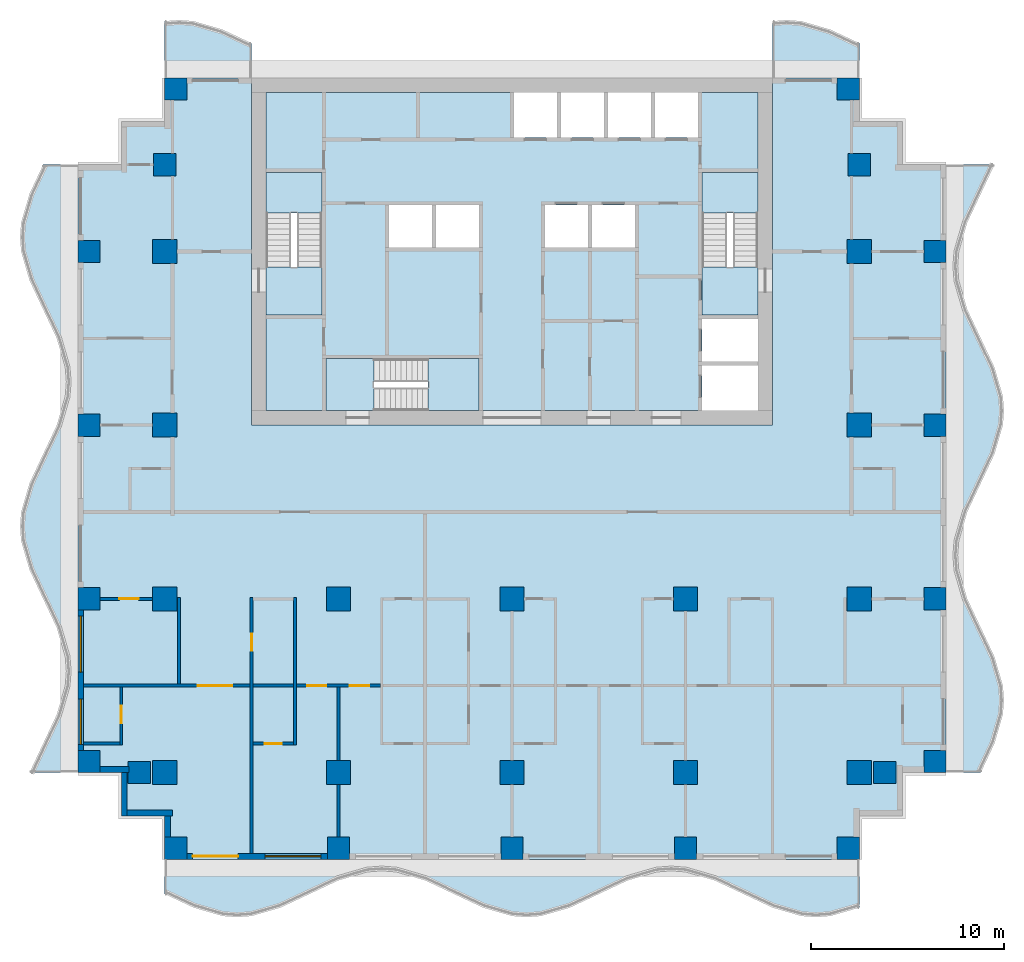
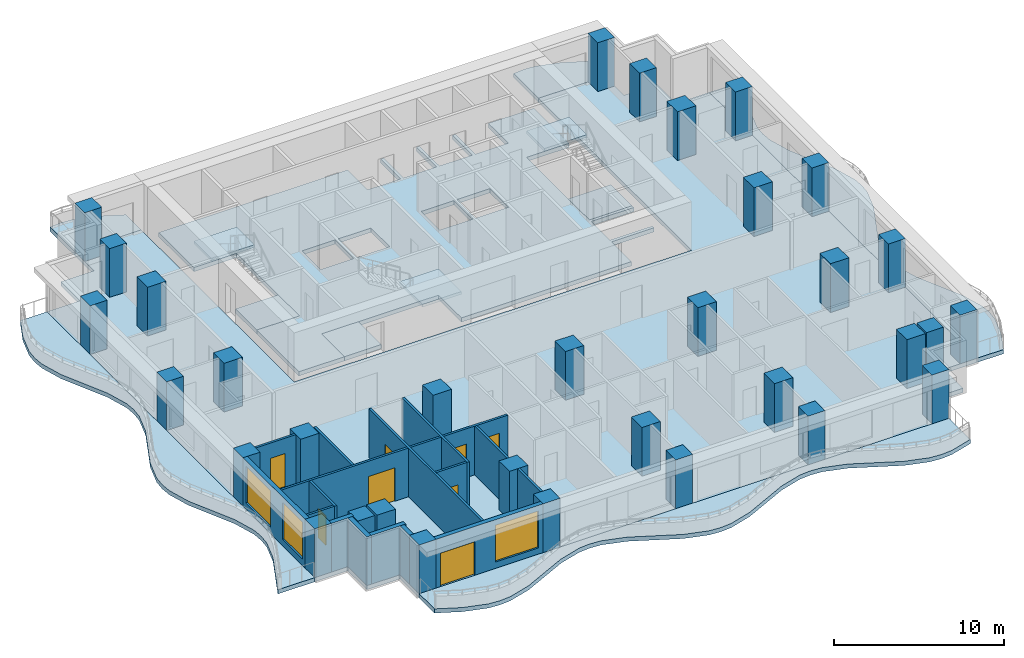
# One storey, part 1 of 10: 33 columns, 18 walls, 13 slabs, 8 doors, 3 windows, 11 openings, 3 elements without a shape of their own.
"""IFC4 building model written with IfcOpenShell, lengths in metres."""

from ifc_helpers import new_model, si_unit, direction, frame, frame_2d, origin, origin_2d, place, context, subcontext, project, spatial, polyline, rectangle, outline, extrude, material, layer, layer_set, material_profile, profile_set, type_object, element, fill, aggregate, save


model = new_model("IFC4")

# Units and contexts
model_context = context("Model", 3, precision=1e-05, world=origin(), true_north=direction((0.0, 1.0)))
body_context = subcontext(model_context, "Body", "Model", "MODEL_VIEW")
ifc_project = project(units=[si_unit("LENGTHUNIT", "METRE"), si_unit("AREAUNIT", "SQUARE_METRE"), si_unit("VOLUMEUNIT", "CUBIC_METRE"), si_unit("PLANEANGLEUNIT", "RADIAN"), si_unit("MASSUNIT", "GRAM", prefix="KILO")], contexts=[model_context])

# Site, building, storey
site_placement = place(None, origin())
site = spatial("IfcSite", under=ifc_project, at=site_placement, CompositionType="ELEMENT")
building_placement = place(site_placement, origin())
building = spatial("IfcBuilding", under=site, at=building_placement, Name="Orbiselva Terraces", CompositionType="ELEMENT")
storey_placement = place(building_placement, frame((0.0, 0.0, 144.0)))
storey = spatial("IfcBuildingStorey", under=building, at=storey_placement, Name="L36", CompositionType="ELEMENT", Elevation=144.0)

# Columns
ifc_material_1 = material(Name="Concrete C60/75", Category="concrete")
ifc_material_profile_1 = material_profile(ifc_material_1, rectangle(XDim=1.25, YDim=1.25, at=origin_2d()), Name="RC 1250x1250")
ifc_profile_set_1 = profile_set([ifc_material_profile_1], Name="Concrete C60/75")
column_type_1 = type_object("IfcColumnType", Name="COLUMN RC 1250x1250", PredefinedType="COLUMN", material=ifc_profile_set_1)
for number, where, z_axis, x_axis, name in (
    (1, (-18.0, -13.5, 0.0), (0.0, 0.0, 1.0), (1.0, 0.0, 0.0), "Column L36-01"),
    (2, (-18.0, -4.5, 0.0), (0.0, 0.0, 1.0), (1.0, 0.0, 0.0), "Column L36-03"),
    (3, (-18.0, 13.5, 0.0), (0.0, 0.0, 1.0), (1.0, 0.0, 0.0), "Column L36-04"),
    (4, (-18.0, 4.5, 0.0), (0.0, 0.0, 1.0), (1.0, 0.0, 0.0), "Column L36-06"),
    (5, (-9.0, -13.5, 0.0), (0.0, 0.0, 1.0), (1.0, 0.0, 0.0), "Column L36-13"),
    (6, (-9.0, -4.5, 0.0), (0.0, 0.0, 1.0), (1.0, 0.0, 0.0), "Column L36-15"),
    (7, (0.0, -13.5, 0.0), (0.0, 0.0, 1.0), (1.0, 0.0, 0.0), "Column L36-16"),
    (8, (0.0, -4.5, 0.0), (0.0, 0.0, 1.0), (1.0, 0.0, 0.0), "Column L36-18"),
    (9, (18.0, -13.5, 0.0), (0.0, 0.0, 1.0), (1.0, 0.0, 0.0), "Column L36-19"),
    (10, (18.0, -4.5, 0.0), (0.0, 0.0, 1.0), (1.0, 0.0, 0.0), "Column L36-21"),
    (11, (18.0, 13.5, 0.0), (0.0, 0.0, 1.0), (1.0, 0.0, 0.0), "Column L36-22"),
    (12, (18.0, 4.5, 0.0), (0.0, 0.0, 1.0), (1.0, 0.0, 0.0), "Column L36-24"),
    (13, (9.0, -13.5, 0.0), (0.0, 0.0, 1.0), (1.0, 0.0, 0.0), "Column L36-31"),
    (14, (9.0, -4.5, 0.0), (0.0, 0.0, 1.0), (1.0, 0.0, 0.0), "Column L36-33"),
):
    element("IfcColumn", number, at=place(storey_placement, frame(where, z_axis=z_axis, x_axis=x_axis)), inside=storey, type_object=column_type_1, Name=name, PredefinedType="COLUMN", context=body_context, shape_type="SweptSolid", body=[
        extrude(rectangle(XDim=1.25, YDim=1.25, at=origin_2d()), origin(), (0.0, 0.0, 1.0), 3.5),
    ])
ifc_material_profile_2 = material_profile(ifc_material_1, rectangle(XDim=1.15, YDim=1.15, at=origin_2d()), Name="RC 1150x1150")
ifc_profile_set_2 = profile_set([ifc_material_profile_2], Name="Concrete C60/75")
column_type_2 = type_object("IfcColumnType", Name="PERIMETER COLUMN RC 1150x1150", PredefinedType="COLUMN", material=ifc_profile_set_2)
for number, where, z_axis, x_axis, name in (
    (15, (-17.425, -17.425, 0.0), (0.0, 0.0, 1.0), (1.0, 0.0, 0.0), "Column L36-02"),
    (16, (-17.425, 21.925, 0.0), (0.0, 0.0, 1.0), (1.0, 0.0, 0.0), "Column L36-05"),
    (17, (-21.925, -12.925, 0.0), (0.0, 0.0, 1.0), (1.0, 0.0, 0.0), "Column L36-07"),
    (18, (-19.32, -13.5, 0.0), (0.0, 0.0, 1.0), (1.0, 0.0, 0.0), "Column L36-08"),
    (19, (-21.925, -4.5, 0.0), (0.0, 0.0, 1.0), (1.0, 0.0, 0.0), "Column L36-09"),
    (20, (-21.925, 13.5, 0.0), (0.0, 0.0, 1.0), (1.0, 0.0, 0.0), "Column L36-10"),
    (21, (-18.0, 18.0, 0.0), (0.0, 0.0, 1.0), (1.0, 0.0, 0.0), "Column L36-11"),
    (22, (-21.925, 4.5, 0.0), (0.0, 0.0, 1.0), (1.0, 0.0, 0.0), "Column L36-12"),
    (23, (-9.0, -17.425, 0.0), (0.0, 0.0, 1.0), (1.0, 0.0, 0.0), "Column L36-14"),
    (24, (0.0, -17.425, 0.0), (0.0, 0.0, 1.0), (1.0, 0.0, 0.0), "Column L36-17"),
    (25, (17.425, -17.425, 0.0), (0.0, 0.0, 1.0), (1.0, 0.0, 0.0), "Column L36-20"),
    (26, (17.425, 21.925, 0.0), (0.0, 0.0, 1.0), (1.0, 0.0, 0.0), "Column L36-23"),
    (27, (21.925, -12.925, 0.0), (0.0, 0.0, 1.0), (1.0, 0.0, 0.0), "Column L36-25"),
    (28, (19.32, -13.5, 0.0), (0.0, 0.0, 1.0), (1.0, 0.0, 0.0), "Column L36-26"),
    (29, (21.925, -4.5, 0.0), (0.0, 0.0, 1.0), (1.0, 0.0, 0.0), "Column L36-27"),
    (30, (21.925, 13.5, 0.0), (0.0, 0.0, 1.0), (1.0, 0.0, 0.0), "Column L36-28"),
    (31, (18.0, 18.0, 0.0), (0.0, 0.0, 1.0), (1.0, 0.0, 0.0), "Column L36-29"),
    (32, (21.925, 4.5, 0.0), (0.0, 0.0, 1.0), (1.0, 0.0, 0.0), "Column L36-30"),
    (33, (9.0, -17.425, 0.0), (0.0, 0.0, 1.0), (1.0, 0.0, 0.0), "Column L36-32"),
):
    element("IfcColumn", number, at=place(storey_placement, frame(where, z_axis=z_axis, x_axis=x_axis)), inside=storey, type_object=column_type_2, Name=name, PredefinedType="COLUMN", context=body_context, shape_type="SweptSolid", body=[
        extrude(rectangle(XDim=1.15, YDim=1.15, at=origin_2d()), origin(), (0.0, 0.0, 1.0), 3.5),
    ])

# Slabs
ifc_material_2 = material(Name="Concrete C40/50", Category="concrete")
ifc_layer_1 = layer(ifc_material_2, 0.3)
ifc_layer_set_1 = layer_set([ifc_layer_1], Name="Concrete C40/50")
slab_type_1 = type_object("IfcSlabType", Name="CORE-SLAB-FLOOR-300", PredefinedType="FLOOR", material=ifc_layer_set_1)
slab_1_placement = place(storey_placement, frame((0.0, 0.0, -0.3)))
element("IfcSlab", 34, at=slab_1_placement, inside=storey, type_object=slab_type_1, Name="L36 S1 floor landing", PredefinedType="FLOOR", context=body_context, shape_type="SweptSolid", body=[
    extrude(outline(polyline([(-12.75, 12.7), (-9.85, 12.7), (-9.85, 10.2), (-12.75, 10.2), (-12.75, 12.7)])), origin(), (0.0, 0.0, 1.0), 0.3),
])
slab_2_placement = place(storey_placement, frame((0.0, 0.0, -0.3)))
element("IfcSlab", 35, at=slab_2_placement, inside=storey, type_object=slab_type_1, Name="L36 S2 floor landing", PredefinedType="FLOOR", context=body_context, shape_type="SweptSolid", body=[
    extrude(outline(polyline([(12.75, 12.7), (12.75, 10.2), (9.85, 10.2), (9.85, 12.7), (12.75, 12.7)])), origin(), (0.0, 0.0, 1.0), 0.3),
])
slab_3_placement = place(storey_placement, frame((0.0, 0.0, -0.3)))
element("IfcSlab", 36, at=slab_3_placement, inside=storey, type_object=slab_type_1, Name="L36 S3 floor landing", PredefinedType="FLOOR", context=body_context, shape_type="SweptSolid", body=[
    extrude(outline(polyline([(-7.15, 5.25), (-9.65, 5.25), (-9.65, 7.95), (-7.15, 7.95), (-7.15, 5.25)])), origin(), (0.0, 0.0, 1.0), 0.3),
])
slab_4_placement = place(storey_placement, frame((0.0, 0.0, -0.3)))
element("IfcSlab", 37, at=slab_4_placement, inside=storey, type_object=slab_type_1, Name="L36 core floor slab 1", PredefinedType="FLOOR", context=body_context, shape_type="SweptSolid", body=[
    extrude(outline(polyline([(-1.7, 5.25), (-1.7, 7.95), (-9.65, 7.95), (-9.65, 5.25), (-12.75, 5.25), (-12.75, 10.2), (-9.85, 10.2), (-9.85, 17.6), (-12.75, 17.6), (-12.75, 21.75), (0.1, 21.75), (0.1, 19.4), (2.3375, 19.4), (2.3375, 21.75), (2.5375, 21.75), (2.5375, 19.4), (4.775, 19.4), (4.775, 21.75), (4.975, 21.75), (4.975, 19.4), (7.2125, 19.4), (7.2125, 21.75), (7.4125, 21.75), (7.4125, 19.4), (9.65, 19.4), (9.65, 21.75), (12.75, 21.75), (12.75, 17.6), (9.85, 17.6), (9.85, 10.2), (12.75, 10.2), (12.75, 10.0), (9.85, 10.0), (9.85, 7.8), (12.75, 7.8), (12.75, 7.6), (9.85, 7.6), (9.85, 5.25), (-1.7, 5.25)]), holes=[polyline([(-4.1375, 13.7), (-4.1375, 15.9), (-6.375, 15.9), (-6.375, 13.7), (-4.1375, 13.7)]), polyline([(-1.7, 13.7), (-1.7, 15.9), (-3.9375, 15.9), (-3.9375, 13.7), (-1.7, 13.7)]), polyline([(3.9375, 15.9), (1.7, 15.9), (1.7, 13.7), (3.9375, 13.7), (3.9375, 15.9)]), polyline([(6.375, 13.7), (6.375, 15.9), (4.1375, 15.9), (4.1375, 13.7), (6.375, 13.7)])]), origin(), (0.0, 0.0, 1.0), 0.3),
])

# Stair, slab
stair_type_1 = type_object("IfcStairType", Name="CORE-STAIR-1300", PredefinedType="HALF_TURN_STAIR", material=ifc_material_2)
stair_1_placement = place(storey_placement, origin())
stair_1 = element("IfcStair", 38, at=stair_1_placement, inside=storey, type_object=stair_type_1, Name="L36 Exit Stair S1", PredefinedType="HALF_TURN_STAIR")
ifc_layer_2 = layer(ifc_material_2, 0.2)
ifc_layer_set_2 = layer_set([ifc_layer_2], Name="Concrete C40/50")
slab_type_2 = type_object("IfcSlabType", Name="CORE-STAIR-LANDING-200", PredefinedType="LANDING", material=ifc_layer_set_2)
slab_5_placement = place(storey_placement, frame((0.0, 0.0, 1.7)))
slab_5 = element("IfcSlab", 39, at=slab_5_placement, type_object=slab_type_2, Name="S1 landing 1", PredefinedType="LANDING", context=body_context, shape_type="SweptSolid", body=[
    extrude(outline(polyline([(-9.85, 15.5), (-9.85, 17.6), (-12.75, 17.6), (-12.75, 15.5), (-9.85, 15.5)])), origin(), (0.0, 0.0, 1.0), 0.2),
])
aggregate(stair_1, [slab_5])

stair_2_placement = place(storey_placement, origin())
stair_2 = element("IfcStair", 40, at=stair_2_placement, inside=storey, type_object=stair_type_1, Name="L36 Exit Stair S2", PredefinedType="HALF_TURN_STAIR")
slab_6_placement = place(storey_placement, frame((0.0, 0.0, 1.7)))
slab_6 = element("IfcSlab", 41, at=slab_6_placement, type_object=slab_type_2, Name="S2 landing 1", PredefinedType="LANDING", context=body_context, shape_type="SweptSolid", body=[
    extrude(outline(polyline([(12.75, 15.5), (12.75, 17.6), (9.85, 17.6), (9.85, 15.5), (12.75, 15.5)])), origin(), (0.0, 0.0, 1.0), 0.2),
])
aggregate(stair_2, [slab_6])

stair_type_2 = type_object("IfcStairType", Name="CORE-STAIR-1200", PredefinedType="HALF_TURN_STAIR", material=ifc_material_2)
stair_3_placement = place(storey_placement, origin())
stair_3 = element("IfcStair", 42, at=stair_3_placement, inside=storey, type_object=stair_type_2, Name="L36 Exit Stair S3", PredefinedType="HALF_TURN_STAIR")
slab_7_placement = place(storey_placement, frame((0.0, 0.0, 1.7)))
slab_7 = element("IfcSlab", 43, at=slab_7_placement, type_object=slab_type_2, Name="S3 landing 1", PredefinedType="LANDING", context=body_context, shape_type="SweptSolid", body=[
    extrude(outline(polyline([(-4.35, 5.25), (-1.7, 5.25), (-1.7, 7.95), (-4.35, 7.95), (-4.35, 5.25)])), origin(), (0.0, 0.0, 1.0), 0.2),
])
aggregate(stair_3, [slab_7])

# Slabs
ifc_material_3 = material(Name="Concrete C50/60", Category="concrete")
ifc_layer_3 = layer(ifc_material_3, 0.3)
ifc_layer_set_3 = layer_set([ifc_layer_3], Name="Concrete C50/60")
slab_type_3 = type_object("IfcSlabType", Name="ENV-BALCONY-SLAB-300", PredefinedType="FLOOR", material=ifc_layer_set_3)
slab_8_placement = place(storey_placement, frame((0.0, 0.0, -0.3)))
element("IfcSlab", 44, at=slab_8_placement, inside=storey, type_object=slab_type_3, Name="Balcony slab L36 S", PredefinedType="FLOOR", context=body_context, shape_type="SweptSolid", body=[
    extrude(outline(polyline([(-18.0, -19.8), (-16.5, -20.505342), (-15.0, -20.941268), (-14.25, -21.0), (-13.5, -20.941268), (-12.0, -20.505342), (-9.0, -19.094658), (-7.5, -18.658732), (-6.75, -18.6), (-6.0, -18.658732), (-4.5, -19.094658), (-1.5, -20.505342), (0.0, -20.941268), (0.75, -21.0), (1.5, -20.941268), (3.0, -20.505342), (6.0, -19.094658), (7.5, -18.658732), (8.25, -18.6), (9.0, -18.658732), (10.5, -19.094658), (13.5, -20.505342), (15.0, -20.941268), (15.75, -21.0), (16.5, -20.941268), (18.0, -20.505342), (18.0, -18.0), (-18.0, -18.0), (-18.0, -19.8)])), origin(), (0.0, 0.0, 1.0), 0.3),
])
slab_9_placement = place(storey_placement, frame((0.0, 0.0, -0.3)))
element("IfcSlab", 45, at=slab_9_placement, inside=storey, type_object=slab_type_3, Name="Balcony slab L36 E", PredefinedType="FLOOR", context=body_context, shape_type="SweptSolid", body=[
    extrude(outline(polyline([(24.3, -13.5), (25.005342, -12.0), (25.441268, -10.5), (25.5, -9.75), (25.441268, -9.0), (25.005342, -7.5), (23.594658, -4.5), (23.158732, -3.0), (23.1, -2.25), (23.158732, -1.5), (23.594658, 0.0), (25.005342, 3.0), (25.441268, 4.5), (25.5, 5.25), (25.441268, 6.0), (25.005342, 7.5), (23.594658, 10.5), (23.158732, 12.0), (23.1, 12.75), (23.158732, 13.5), (23.594658, 15.0), (25.005342, 18.0), (22.5, 18.0), (22.5, -13.5), (24.3, -13.5)])), origin(), (0.0, 0.0, 1.0), 0.3),
])
slab_10_placement = place(storey_placement, frame((0.0, 0.0, -0.3)))
element("IfcSlab", 46, at=slab_10_placement, inside=storey, type_object=slab_type_3, Name="Balcony slab L36 NE", PredefinedType="FLOOR", context=body_context, shape_type="SweptSolid", body=[
    extrude(outline(polyline([(18.0, 24.3), (16.5, 25.005342), (15.0, 25.441268), (14.25, 25.5), (13.5, 25.441268), (13.5, 22.5), (18.0, 22.5), (18.0, 24.3)])), origin(), (0.0, 0.0, 1.0), 0.3),
])
slab_11_placement = place(storey_placement, frame((0.0, 0.0, -0.3)))
element("IfcSlab", 47, at=slab_11_placement, inside=storey, type_object=slab_type_3, Name="Balcony slab L36 NW", PredefinedType="FLOOR", context=body_context, shape_type="SweptSolid", body=[
    extrude(outline(polyline([(-13.5, 24.3), (-15.0, 25.005342), (-16.5, 25.441268), (-17.25, 25.5), (-18.0, 25.441268), (-18.0, 22.5), (-13.5, 22.5), (-13.5, 24.3)])), origin(), (0.0, 0.0, 1.0), 0.3),
])
slab_12_placement = place(storey_placement, frame((0.0, 0.0, -0.3)))
element("IfcSlab", 48, at=slab_12_placement, inside=storey, type_object=slab_type_3, Name="Balcony slab L36 W", PredefinedType="FLOOR", context=body_context, shape_type="SweptSolid", body=[
    extrude(outline(polyline([(-24.3, 18.0), (-25.005342, 16.5), (-25.441268, 15.0), (-25.5, 14.25), (-25.441268, 13.5), (-25.005342, 12.0), (-23.594658, 9.0), (-23.158732, 7.5), (-23.1, 6.75), (-23.158732, 6.0), (-23.594658, 4.5), (-25.005342, 1.5), (-25.441268, 0.0), (-25.5, -0.75), (-25.441268, -1.5), (-25.005342, -3.0), (-23.594658, -6.0), (-23.158732, -7.5), (-23.1, -8.25), (-23.158732, -9.0), (-23.594658, -10.5), (-25.005342, -13.5), (-22.5, -13.5), (-22.5, 18.0), (-24.3, 18.0)])), origin(), (0.0, 0.0, 1.0), 0.3),
])
ifc_layer_4 = layer(ifc_material_3, 0.3)
ifc_layer_set_4 = layer_set([ifc_layer_4], Name="Concrete C50/60")
slab_type_4 = type_object("IfcSlabType", Name="FLOOR SLAB 300", PredefinedType="FLOOR", material=ifc_layer_set_4)
slab_13_placement = place(storey_placement, frame((0.0, 0.0, -0.3)))
element("IfcSlab", 49, at=slab_13_placement, inside=storey, type_object=slab_type_4, Name="Floor slab L36", PredefinedType="FLOOR", context=body_context, shape_type="SweptSolid", body=[
    extrude(outline(polyline([(18.0, 22.5), (18.0, 20.25), (20.25, 20.25), (20.25, 18.0), (22.5, 18.0), (22.5, -13.5), (20.25, -13.5), (20.25, -15.75), (18.0, -15.75), (18.0, -18.0), (-18.0, -18.0), (-18.0, -15.75), (-20.25, -15.75), (-20.25, -13.5), (-22.5, -13.5), (-22.5, 18.0), (-20.25, 18.0), (-20.25, 20.25), (-18.0, 20.25), (-18.0, 22.5), (-13.5, 22.5), (-13.5, 4.5), (13.5, 4.5), (13.5, 22.5), (18.0, 22.5)])), origin(), (0.0, 0.0, 1.0), 0.3),
])

# Wall, openings, door, window
ifc_material_4 = material(Name="Terracotta cladding on masonry backing", Category="masonry")
ifc_layer_5 = layer(ifc_material_4, 0.3)
ifc_layer_set_5 = layer_set([ifc_layer_5], Name="Terracotta cladding on masonry backing")
wall_type_1 = type_object("IfcWallType", Name="ENV-WALL-TERRACOTTA-300", PredefinedType="SOLIDWALL", material=ifc_layer_set_5)
wall_1_placement = place(storey_placement, frame((-9.575, -17.85, 0.0), z_axis=(0.0, 0.0, 1.0), x_axis=(-1.0, 0.0, 0.0)))
wall_1 = element("IfcWall", 50, at=wall_1_placement, inside=storey, type_object=wall_type_1, Name="Facade wall L36 S", PredefinedType="SOLIDWALL", context=body_context, shape_type="SweptSolid", body=[
    extrude(rectangle(XDim=7.275, YDim=0.3, at=frame_2d((3.6375, 0.0))), origin(), (0.0, 0.0, 1.0), 3.5),
])
opening_1_placement = place(wall_1_placement, frame((4.625, 0.0, 0.0)))
opening_1 = element("IfcOpeningElement", 51, at=opening_1_placement, cuts=wall_1, Name="Opening Z3-B-E15", PredefinedType="OPENING", context=body_context, shape_type="SweptSolid", body=[
    extrude(rectangle(XDim=2.35, YDim=2.4, at=frame_2d((1.175, 1.2))), frame((0.0, 0.16, 0.0), z_axis=(0.0, -1.0, 0.0), x_axis=(1.0, 0.0, 0.0)), (0.0, 0.0, 1.0), 0.32),
])
opening_2_placement = place(wall_1_placement, frame((0.325, 0.0, 0.45)))
opening_2 = element("IfcOpeningElement", 52, at=opening_2_placement, cuts=wall_1, Name="Opening WN8", PredefinedType="OPENING", context=body_context, shape_type="SweptSolid", body=[
    extrude(rectangle(XDim=2.9, YDim=2.65, at=frame_2d((1.45, 1.325))), frame((0.0, 0.16, 0.0), z_axis=(0.0, -1.0, 0.0), x_axis=(1.0, 0.0, 0.0)), (0.0, 0.0, 1.0), 0.32),
])
ifc_material_5 = material(Name="Clear low-e glazing in aluminium frame", Category="aluminium")
door_type_1 = type_object("IfcDoorType", Name="BALCONY DOOR 2350 X 2400", OperationType="DOUBLE_DOOR_SLIDING", PredefinedType="DOOR", material=ifc_material_5)
door_1_placement = place(opening_1_placement, origin())
door_1 = element("IfcDoor", 53, at=door_1_placement, inside=storey, type_object=door_type_1, Name="Z3-B-E15", OperationType="SINGLE_SWING_LEFT", OverallHeight=2.4, OverallWidth=2.35, PredefinedType="DOOR", context=body_context, shape_type="SweptSolid", body=[
    extrude(rectangle(XDim=2.35, YDim=2.4, at=frame_2d((1.175, 1.2))), frame((0.0, 0.025, 0.0), z_axis=(0.0, -1.0, 0.0), x_axis=(1.0, 0.0, 0.0)), (0.0, 0.0, 1.0), 0.05),
])
fill(opening_1, door_1)
window_type_1 = type_object("IfcWindowType", Name="WINDOW 2900 X 2650 S450", PartitioningType="TRIPLE_PANEL_VERTICAL", PredefinedType="WINDOW", material=ifc_material_5)
window_1_placement = place(opening_2_placement, origin())
window_1 = element("IfcWindow", 54, at=window_1_placement, inside=storey, type_object=window_type_1, Name="Window L36 S", OverallHeight=2.65, OverallWidth=2.9, PartitioningType="SINGLE_PANEL", PredefinedType="WINDOW", context=body_context, shape_type="SweptSolid", body=[
    extrude(rectangle(XDim=2.9, YDim=2.65, at=frame_2d((1.45, 1.325))), frame((0.0, 0.03, 0.0), z_axis=(0.0, -1.0, 0.0), x_axis=(1.0, 0.0, 0.0)), (0.0, 0.0, 1.0), 0.06),
])
fill(opening_2, window_1)

# Wall, openings, windows
wall_2_placement = place(storey_placement, frame((-22.35, -12.35, 0.0), z_axis=(0.0, 0.0, 1.0), x_axis=(0.0, 1.0, 0.0)))
wall_2 = element("IfcWall", 55, at=wall_2_placement, inside=storey, type_object=wall_type_1, Name="Facade wall L36 W", PredefinedType="SOLIDWALL", context=body_context, shape_type="SweptSolid", body=[
    extrude(rectangle(XDim=7.275, YDim=0.3, at=frame_2d((3.6375, 0.0))), origin(), (0.0, 0.0, 1.0), 3.5),
])
opening_3_placement = place(wall_2_placement, frame((4.05, 0.0, 0.45)))
opening_3 = element("IfcOpeningElement", 56, at=opening_3_placement, cuts=wall_2, Name="Opening WN8", PredefinedType="OPENING", context=body_context, shape_type="SweptSolid", body=[
    extrude(rectangle(XDim=2.9, YDim=2.65, at=frame_2d((1.45, 1.325))), frame((0.0, 0.16, 0.0), z_axis=(0.0, -1.0, 0.0), x_axis=(1.0, 0.0, 0.0)), (0.0, 0.0, 1.0), 0.32),
])
opening_4_placement = place(wall_2_placement, frame((0.3, 0.0, 0.45)))
opening_4 = element("IfcOpeningElement", 57, at=opening_4_placement, cuts=wall_2, Name="Opening WN10", PredefinedType="OPENING", context=body_context, shape_type="SweptSolid", body=[
    extrude(rectangle(XDim=2.35, YDim=2.65, at=frame_2d((1.175, 1.325))), frame((0.0, 0.16, 0.0), z_axis=(0.0, -1.0, 0.0), x_axis=(1.0, 0.0, 0.0)), (0.0, 0.0, 1.0), 0.32),
])
window_type_2 = type_object("IfcWindowType", Name="WINDOW 2350 X 2650 S450", PartitioningType="TRIPLE_PANEL_VERTICAL", PredefinedType="WINDOW", material=ifc_material_5)
window_2_placement = place(opening_4_placement, origin())
window_2 = element("IfcWindow", 58, at=window_2_placement, inside=storey, type_object=window_type_2, Name="Window L36 W", OverallHeight=2.65, OverallWidth=2.35, PartitioningType="SINGLE_PANEL", PredefinedType="WINDOW", context=body_context, shape_type="SweptSolid", body=[
    extrude(rectangle(XDim=2.35, YDim=2.65, at=frame_2d((1.175, 1.325))), frame((0.0, 0.03, 0.0), z_axis=(0.0, -1.0, 0.0), x_axis=(1.0, 0.0, 0.0)), (0.0, 0.0, 1.0), 0.06),
])
fill(opening_4, window_2)
window_3_placement = place(opening_3_placement, origin())
window_3 = element("IfcWindow", 59, at=window_3_placement, inside=storey, type_object=window_type_1, Name="Window L36 W", OverallHeight=2.65, OverallWidth=2.9, PartitioningType="SINGLE_PANEL", PredefinedType="WINDOW", context=body_context, shape_type="SweptSolid", body=[
    extrude(rectangle(XDim=2.9, YDim=2.65, at=frame_2d((1.45, 1.325))), frame((0.0, 0.03, 0.0), z_axis=(0.0, -1.0, 0.0), x_axis=(1.0, 0.0, 0.0)), (0.0, 0.0, 1.0), 0.06),
])
fill(opening_3, window_3)

# Walls
wall_3_placement = place(storey_placement, frame((-19.85, -13.35, 0.0), z_axis=(0.0, 0.0, 1.0), x_axis=(-1.0, 0.0, 0.0)))
element("IfcWall", 60, at=wall_3_placement, inside=storey, type_object=wall_type_1, Name="Facade wall L36 STEP", PredefinedType="SOLIDWALL", context=body_context, shape_type="SweptSolid", body=[
    extrude(rectangle(XDim=1.5, YDim=0.3, at=frame_2d((0.75, 0.0))), origin(), (0.0, 0.0, 1.0), 3.5),
])
wall_4_placement = place(storey_placement, frame((-20.1, -15.75, 0.0), z_axis=(0.0, 0.0, 1.0), x_axis=(0.0, 1.0, 0.0)))
element("IfcWall", 61, at=wall_4_placement, inside=storey, type_object=wall_type_1, Name="Facade wall L36 STEP", PredefinedType="SOLIDWALL", context=body_context, shape_type="SweptSolid", body=[
    extrude(rectangle(XDim=2.25, YDim=0.3, at=frame_2d((1.125, 0.0))), origin(), (0.0, 0.0, 1.0), 3.5),
])
wall_5_placement = place(storey_placement, frame((-17.6, -15.6, 0.0), z_axis=(0.0, 0.0, 1.0), x_axis=(-1.0, 0.0, 0.0)))
element("IfcWall", 62, at=wall_5_placement, inside=storey, type_object=wall_type_1, Name="Facade wall L36 STEP", PredefinedType="SOLIDWALL", context=body_context, shape_type="SweptSolid", body=[
    extrude(rectangle(XDim=2.35, YDim=0.3, at=frame_2d((1.175, 0.0))), origin(), (0.0, 0.0, 1.0), 3.5),
])
wall_6_placement = place(storey_placement, frame((-17.85, -16.85, 0.0), z_axis=(0.0, 0.0, 1.0), x_axis=(0.0, 1.0, 0.0)))
element("IfcWall", 63, at=wall_6_placement, inside=storey, type_object=wall_type_1, Name="Facade wall L36 STEP", PredefinedType="SOLIDWALL", context=body_context, shape_type="SweptSolid", body=[
    extrude(rectangle(XDim=1.1, YDim=0.3, at=frame_2d((0.55, 0.0))), origin(), (0.0, 0.0, 1.0), 3.5),
])
ifc_material_6 = material(Name="Plasterboard on steel stud partition", Category="steel")
ifc_layer_6 = layer(ifc_material_6, 0.15)
ifc_layer_set_6 = layer_set([ifc_layer_6], Name="Plasterboard on steel stud partition")
wall_type_2 = type_object("IfcWallType", Name="UNIT-PARTITION-150", PredefinedType="PARTITIONING", material=ifc_layer_set_6)
wall_7_placement = place(storey_placement, frame((-22.2, -12.0, 0.0), z_axis=(0.0, 0.0, 1.0), x_axis=(1.0, 0.0, 0.0)))
element("IfcWall", 64, at=wall_7_placement, inside=storey, type_object=wall_type_2, Name="PARTITION L36-001", PredefinedType="PARTITIONING", context=body_context, shape_type="SweptSolid", body=[
    extrude(rectangle(XDim=1.875, YDim=0.15, at=frame_2d((0.9375, 0.0))), origin(), (0.0, 0.0, 1.0), 3.5),
])

# Wall, opening, door
wall_8_placement = place(storey_placement, frame((-13.425, -12.0, 0.0), z_axis=(0.0, 0.0, 1.0), x_axis=(1.0, 0.0, 0.0)))
wall_8 = element("IfcWall", 65, at=wall_8_placement, inside=storey, type_object=wall_type_2, Name="PARTITION L36-002", PredefinedType="PARTITIONING", context=body_context, shape_type="SweptSolid", body=[
    extrude(rectangle(XDim=2.1, YDim=0.15, at=frame_2d((1.05, 0.0))), origin(), (0.0, 0.0, 1.0), 3.5),
])
opening_5_placement = place(wall_8_placement, frame((0.6, 0.0, 0.0)))
opening_5 = element("IfcOpeningElement", 66, at=opening_5_placement, cuts=wall_8, Name="Opening Z3-B-20", PredefinedType="OPENING", context=body_context, shape_type="SweptSolid", body=[
    extrude(rectangle(XDim=0.9, YDim=2.1, at=frame_2d((0.45, 1.05))), frame((0.0, 0.085, 0.0), z_axis=(0.0, -1.0, 0.0), x_axis=(1.0, 0.0, 0.0)), (0.0, 0.0, 1.0), 0.17),
])
ifc_material_7 = material(Name="Painted timber door leaf", Category="wood")
door_type_2 = type_object("IfcDoorType", Name="BATH DOOR 900", OperationType="NOTDEFINED", PredefinedType="DOOR", material=ifc_material_7)
door_2_placement = place(opening_5_placement, origin())
door_2 = element("IfcDoor", 67, at=door_2_placement, inside=storey, type_object=door_type_2, Name="Z3-B-20", OperationType="SINGLE_SWING_LEFT", OverallHeight=2.1, OverallWidth=0.9, PredefinedType="DOOR", context=body_context, shape_type="SweptSolid", body=[
    extrude(rectangle(XDim=0.9, YDim=2.1, at=frame_2d((0.45, 1.05))), frame((0.0, 0.025, 0.0), z_axis=(0.0, -1.0, 0.0), x_axis=(1.0, 0.0, 0.0)), (0.0, 0.0, 1.0), 0.05),
])
fill(opening_5, door_2)

wall_9_placement = place(storey_placement, frame((-13.575, -9.0, 0.0), z_axis=(0.0, 0.0, 1.0), x_axis=(-1.0, 0.0, 0.0)))
wall_9 = element("IfcWall", 68, at=wall_9_placement, inside=storey, type_object=wall_type_2, Name="PARTITION L36-008", PredefinedType="PARTITIONING", context=body_context, shape_type="SweptSolid", body=[
    extrude(rectangle(XDim=8.625, YDim=0.15, at=frame_2d((4.3125, 0.0))), origin(), (0.0, 0.0, 1.0), 3.5),
])
opening_6_placement = place(wall_9_placement, frame((0.925, 0.0, 0.0)))
opening_6 = element("IfcOpeningElement", 69, at=opening_6_placement, cuts=wall_9, Name="Opening Z3-B-17", PredefinedType="OPENING", context=body_context, shape_type="SweptSolid", body=[
    extrude(rectangle(XDim=1.8, YDim=2.4, at=frame_2d((0.9, 1.2))), frame((0.0, 0.085, 0.0), z_axis=(0.0, -1.0, 0.0), x_axis=(1.0, 0.0, 0.0)), (0.0, 0.0, 1.0), 0.17),
])
door_type_3 = type_object("IfcDoorType", Name="DOUBLE DOOR 1800", OperationType="NOTDEFINED", PredefinedType="DOOR", material=ifc_material_7)
door_3_placement = place(opening_6_placement, origin())
door_3 = element("IfcDoor", 70, at=door_3_placement, inside=storey, type_object=door_type_3, Name="Z3-B-17", OperationType="DOUBLE_DOOR_SINGLE_SWING", OverallHeight=2.4, OverallWidth=1.8, PredefinedType="DOOR", context=body_context, shape_type="SweptSolid", body=[
    extrude(rectangle(XDim=1.8, YDim=2.4, at=frame_2d((0.9, 1.2))), frame((0.0, 0.025, 0.0), z_axis=(0.0, -1.0, 0.0), x_axis=(1.0, 0.0, 0.0)), (0.0, 0.0, 1.0), 0.05),
])
fill(opening_6, door_3)

# Wall
wall_10_placement = place(storey_placement, frame((-13.425, -9.0, 0.0), z_axis=(0.0, 0.0, 1.0), x_axis=(1.0, 0.0, 0.0)))
element("IfcWall", 71, at=wall_10_placement, inside=storey, type_object=wall_type_2, Name="PARTITION L36-009", PredefinedType="PARTITIONING", context=body_context, shape_type="SweptSolid", body=[
    extrude(rectangle(XDim=2.1, YDim=0.15, at=frame_2d((1.05, 0.0))), origin(), (0.0, 0.0, 1.0), 3.5),
])

# Wall, openings, doors
wall_11_placement = place(storey_placement, frame((-6.825, -9.0, 0.0), z_axis=(0.0, 0.0, 1.0), x_axis=(-1.0, 0.0, 0.0)))
wall_11 = element("IfcWall", 72, at=wall_11_placement, inside=storey, type_object=wall_type_2, Name="PARTITION L36-010", PredefinedType="PARTITIONING", context=body_context, shape_type="SweptSolid", body=[
    extrude(rectangle(XDim=4.35, YDim=0.15, at=frame_2d((2.175, 0.0))), origin(), (0.0, 0.0, 1.0), 3.5),
])
opening_7_placement = place(wall_11_placement, frame((2.8, 0.0, 0.0)))
opening_7 = element("IfcOpeningElement", 73, at=opening_7_placement, cuts=wall_11, Name="Opening Z3-B-19", PredefinedType="OPENING", context=body_context, shape_type="SweptSolid", body=[
    extrude(rectangle(XDim=1.0, YDim=2.4, at=frame_2d((0.5, 1.2))), frame((0.0, 0.085, 0.0), z_axis=(0.0, -1.0, 0.0), x_axis=(1.0, 0.0, 0.0)), (0.0, 0.0, 1.0), 0.17),
])
opening_8_placement = place(wall_11_placement, frame((0.575, 0.0, 0.0)))
opening_8 = element("IfcOpeningElement", 74, at=opening_8_placement, cuts=wall_11, Name="Opening Z3-B-21", PredefinedType="OPENING", context=body_context, shape_type="SweptSolid", body=[
    extrude(rectangle(XDim=1.0, YDim=2.4, at=frame_2d((0.5, 1.2))), frame((0.0, 0.085, 0.0), z_axis=(0.0, -1.0, 0.0), x_axis=(1.0, 0.0, 0.0)), (0.0, 0.0, 1.0), 0.17),
])
door_type_4 = type_object("IfcDoorType", Name="ROOM DOOR 1000", OperationType="NOTDEFINED", PredefinedType="DOOR", material=ifc_material_7)
door_4_placement = place(opening_7_placement, origin())
door_4 = element("IfcDoor", 75, at=door_4_placement, inside=storey, type_object=door_type_4, Name="Z3-B-19", OperationType="SINGLE_SWING_RIGHT", OverallHeight=2.4, OverallWidth=1.0, PredefinedType="DOOR", context=body_context, shape_type="SweptSolid", body=[
    extrude(rectangle(XDim=1.0, YDim=2.4, at=frame_2d((0.5, 1.2))), frame((0.0, 0.025, 0.0), z_axis=(0.0, -1.0, 0.0), x_axis=(1.0, 0.0, 0.0)), (0.0, 0.0, 1.0), 0.05),
])
fill(opening_7, door_4)
door_5_placement = place(opening_8_placement, origin())
door_5 = element("IfcDoor", 76, at=door_5_placement, inside=storey, type_object=door_type_4, Name="Z3-B-21", OperationType="SINGLE_SWING_LEFT", OverallHeight=2.4, OverallWidth=1.0, PredefinedType="DOOR", context=body_context, shape_type="SweptSolid", body=[
    extrude(rectangle(XDim=1.0, YDim=2.4, at=frame_2d((0.5, 1.2))), frame((0.0, 0.025, 0.0), z_axis=(0.0, -1.0, 0.0), x_axis=(1.0, 0.0, 0.0)), (0.0, 0.0, 1.0), 0.05),
])
fill(opening_8, door_5)

# Wall, opening, door
wall_12_placement = place(storey_placement, frame((-18.625, -4.5, 0.0), z_axis=(0.0, 0.0, 1.0), x_axis=(-1.0, 0.0, 0.0)))
wall_12 = element("IfcWall", 77, at=wall_12_placement, inside=storey, type_object=wall_type_2, Name="PARTITION L36-019", PredefinedType="PARTITIONING", context=body_context, shape_type="SweptSolid", body=[
    extrude(rectangle(XDim=2.725, YDim=0.15, at=frame_2d((1.3625, 0.0))), origin(), (0.0, 0.0, 1.0), 3.5),
])
opening_9_placement = place(wall_12_placement, frame((0.725, 0.0, 0.0)))
opening_9 = element("IfcOpeningElement", 78, at=opening_9_placement, cuts=wall_12, Name="Opening Z3-B-14", PredefinedType="OPENING", context=body_context, shape_type="SweptSolid", body=[
    extrude(rectangle(XDim=1.0, YDim=2.4, at=frame_2d((0.5, 1.2))), frame((0.0, 0.085, 0.0), z_axis=(0.0, -1.0, 0.0), x_axis=(1.0, 0.0, 0.0)), (0.0, 0.0, 1.0), 0.17),
])
door_6_placement = place(opening_9_placement, origin())
door_6 = element("IfcDoor", 79, at=door_6_placement, inside=storey, type_object=door_type_4, Name="Z3-B-14", OperationType="SINGLE_SWING_LEFT", OverallHeight=2.4, OverallWidth=1.0, PredefinedType="DOOR", context=body_context, shape_type="SweptSolid", body=[
    extrude(rectangle(XDim=1.0, YDim=2.4, at=frame_2d((0.5, 1.2))), frame((0.0, 0.025, 0.0), z_axis=(0.0, -1.0, 0.0), x_axis=(1.0, 0.0, 0.0)), (0.0, 0.0, 1.0), 0.05),
])
fill(opening_9, door_6)

wall_13_placement = place(storey_placement, frame((-20.25, -12.075, 0.0), z_axis=(0.0, 0.0, 1.0), x_axis=(0.0, 1.0, 0.0)))
wall_13 = element("IfcWall", 80, at=wall_13_placement, inside=storey, type_object=wall_type_2, Name="PARTITION L36-040", PredefinedType="PARTITIONING", context=body_context, shape_type="SweptSolid", body=[
    extrude(rectangle(XDim=3.0, YDim=0.15, at=frame_2d((1.5, 0.0))), origin(), (0.0, 0.0, 1.0), 3.5),
])
opening_10_placement = place(wall_13_placement, frame((1.125, 0.0, 0.0)))
opening_10 = element("IfcOpeningElement", 81, at=opening_10_placement, cuts=wall_13, Name="Opening Z3-B-18", PredefinedType="OPENING", context=body_context, shape_type="SweptSolid", body=[
    extrude(rectangle(XDim=0.9, YDim=2.1, at=frame_2d((0.45, 1.05))), frame((0.0, 0.085, 0.0), z_axis=(0.0, -1.0, 0.0), x_axis=(1.0, 0.0, 0.0)), (0.0, 0.0, 1.0), 0.17),
])
door_7_placement = place(opening_10_placement, origin())
door_7 = element("IfcDoor", 82, at=door_7_placement, inside=storey, type_object=door_type_2, Name="Z3-B-18", OperationType="SINGLE_SWING_RIGHT", OverallHeight=2.1, OverallWidth=0.9, PredefinedType="DOOR", context=body_context, shape_type="SweptSolid", body=[
    extrude(rectangle(XDim=0.9, YDim=2.1, at=frame_2d((0.45, 1.05))), frame((0.0, 0.025, 0.0), z_axis=(0.0, -1.0, 0.0), x_axis=(1.0, 0.0, 0.0)), (0.0, 0.0, 1.0), 0.05),
])
fill(opening_10, door_7)

# Wall
wall_14_placement = place(storey_placement, frame((-17.25, -8.925, 0.0), z_axis=(0.0, 0.0, 1.0), x_axis=(0.0, 1.0, 0.0)))
element("IfcWall", 83, at=wall_14_placement, inside=storey, type_object=wall_type_2, Name="PARTITION L36-046", PredefinedType="PARTITIONING", context=body_context, shape_type="SweptSolid", body=[
    extrude(rectangle(XDim=4.5, YDim=0.15, at=frame_2d((2.25, 0.0))), origin(), (0.0, 0.0, 1.0), 3.5),
])

# Wall, opening, door
wall_15_placement = place(storey_placement, frame((-13.5, -4.425, 0.0), z_axis=(0.0, 0.0, 1.0), x_axis=(0.0, -1.0, 0.0)))
wall_15 = element("IfcWall", 84, at=wall_15_placement, inside=storey, type_object=wall_type_2, Name="PARTITION L36-047", PredefinedType="PARTITIONING", context=body_context, shape_type="SweptSolid", body=[
    extrude(rectangle(XDim=13.275, YDim=0.15, at=frame_2d((6.6375, 0.0))), origin(), (0.0, 0.0, 1.0), 3.5),
])
opening_11_placement = place(wall_15_placement, frame((1.875, 0.0, 0.0)))
opening_11 = element("IfcOpeningElement", 85, at=opening_11_placement, cuts=wall_15, Name="Opening Z3-B-15", PredefinedType="OPENING", context=body_context, shape_type="SweptSolid", body=[
    extrude(rectangle(XDim=0.9, YDim=2.1, at=frame_2d((0.45, 1.05))), frame((0.0, 0.085, 0.0), z_axis=(0.0, -1.0, 0.0), x_axis=(1.0, 0.0, 0.0)), (0.0, 0.0, 1.0), 0.17),
])
door_8_placement = place(opening_11_placement, origin())
door_8 = element("IfcDoor", 86, at=door_8_placement, inside=storey, type_object=door_type_2, Name="Z3-B-15", OperationType="SINGLE_SWING_LEFT", OverallHeight=2.1, OverallWidth=0.9, PredefinedType="DOOR", context=body_context, shape_type="SweptSolid", body=[
    extrude(rectangle(XDim=0.9, YDim=2.1, at=frame_2d((0.45, 1.05))), frame((0.0, 0.025, 0.0), z_axis=(0.0, -1.0, 0.0), x_axis=(1.0, 0.0, 0.0)), (0.0, 0.0, 1.0), 0.05),
])
fill(opening_11, door_8)

# Walls
wall_16_placement = place(storey_placement, frame((-11.25, -12.075, 0.0), z_axis=(0.0, 0.0, 1.0), x_axis=(0.0, 1.0, 0.0)))
element("IfcWall", 87, at=wall_16_placement, inside=storey, type_object=wall_type_2, Name="PARTITION L36-048", PredefinedType="PARTITIONING", context=body_context, shape_type="SweptSolid", body=[
    extrude(rectangle(XDim=7.65, YDim=0.15, at=frame_2d((3.825, 0.0))), origin(), (0.0, 0.0, 1.0), 3.5),
])
wall_17_placement = place(storey_placement, frame((-9.0, -16.85, 0.0), z_axis=(0.0, 0.0, 1.0), x_axis=(0.0, 1.0, 0.0)))
element("IfcWall", 88, at=wall_17_placement, inside=storey, type_object=wall_type_2, Name="PARTITION L36-049", PredefinedType="PARTITIONING", context=body_context, shape_type="SweptSolid", body=[
    extrude(rectangle(XDim=2.725, YDim=0.15, at=frame_2d((1.3625, 0.0))), origin(), (0.0, 0.0, 1.0), 3.5),
])
wall_18_placement = place(storey_placement, frame((-9.0, -12.875, 0.0), z_axis=(0.0, 0.0, 1.0), x_axis=(0.0, 1.0, 0.0)))
element("IfcWall", 89, at=wall_18_placement, inside=storey, type_object=wall_type_2, Name="PARTITION L36-050", PredefinedType="PARTITIONING", context=body_context, shape_type="SweptSolid", body=[
    extrude(rectangle(XDim=3.8, YDim=0.15, at=frame_2d((1.9, 0.0))), origin(), (0.0, 0.0, 1.0), 3.5),
])

save(model, "model.ifc")
